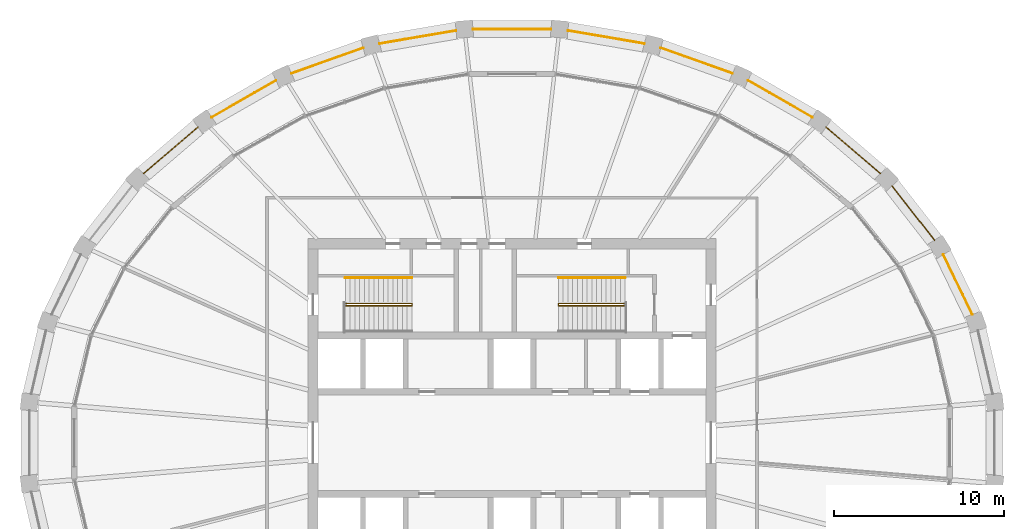
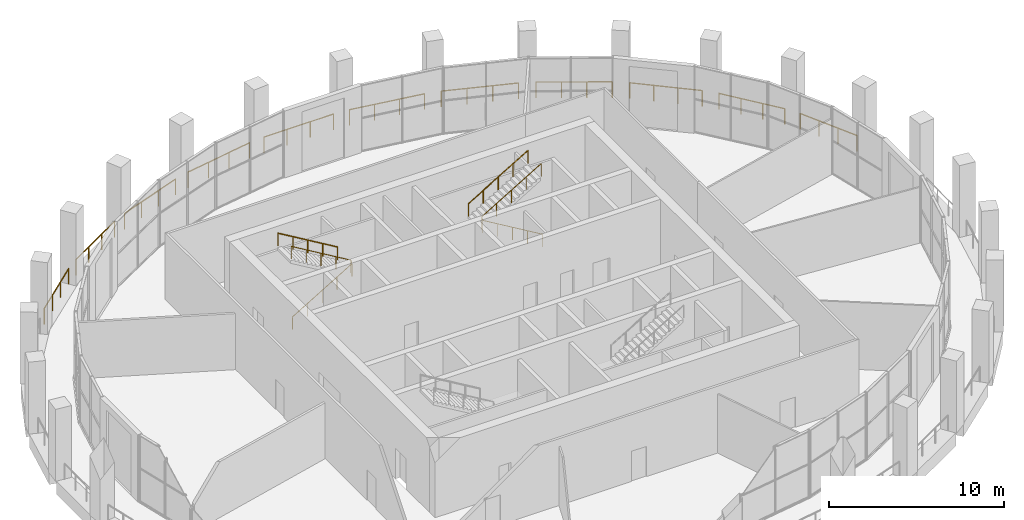
# One storey, part 15 of 15: 15 railings.
"""IFC4 building model written with IfcOpenShell, lengths in metres."""

from ifc_helpers import new_model, si_unit, direction, frame, origin, origin_2d, place, context, subcontext, project, spatial, circle, extrude, material, type_object, element, save


model = new_model("IFC4")

# Units and contexts
model_context = context("Model", 3, precision=1e-05, world=origin(), true_north=direction((0.0, 1.0)))
body_context = subcontext(model_context, "Body", "Model", "MODEL_VIEW")
ifc_project = project(units=[si_unit("LENGTHUNIT", "METRE"), si_unit("AREAUNIT", "SQUARE_METRE"), si_unit("VOLUMEUNIT", "CUBIC_METRE"), si_unit("PLANEANGLEUNIT", "RADIAN"), si_unit("MASSUNIT", "GRAM", prefix="KILO")], contexts=[model_context])

# Site, building, storey
site_placement = place(None, origin())
site = spatial("IfcSite", under=ifc_project, at=site_placement, CompositionType="ELEMENT")
building_placement = place(site_placement, origin())
building = spatial("IfcBuilding", under=site, at=building_placement, Name="Halqa Exchange Tower", CompositionType="ELEMENT")
storey_placement = place(building_placement, frame((0.0, 0.0, 338.300048828125)))
storey = spatial("IfcBuildingStorey", under=building, at=storey_placement, Name="L79", CompositionType="ELEMENT", Elevation=338.300048828125)

# Railings
ifc_material = material(Name="Stainless steel", Category="steel")
railing_type_1 = type_object("IfcRailingType", Name="Guard 1100 stainless steel", PredefinedType="GUARDRAIL", material=ifc_material)
railing_1_placement = place(storey_placement, frame((27.055419921875, 7.54150390625, 0.0)))
element("IfcRailing", 1, at=railing_1_placement, inside=storey, type_object=railing_type_1, Name="Loggia guard 2", PredefinedType="GUARDRAIL", context=body_context, shape_type="SweptSolid", body=[
    extrude(circle(Radius=0.02392578125, at=origin_2d()), frame((0.0, 0.0, 1.076171875), z_axis=(-0.435146748862, 0.900359543158, 0.0), x_axis=(-0.900359543158, -0.435146748862, 0.0)), (0.0, 0.0, 1.0), 3.913818359375),
    extrude(circle(Radius=0.02099609375, at=origin_2d()), origin(), (0.0, 0.0, 1.0), 1.052001953125),
    extrude(circle(Radius=0.02099609375, at=origin_2d()), frame((-0.567626953125, 1.174560546875, 0.0)), (0.0, 0.0, 1.0), 1.052001953125),
    extrude(circle(Radius=0.02099609375, at=origin_2d()), frame((-1.135498046875, 2.349365234375, 0.0)), (0.0, 0.0, 1.0), 1.052001953125),
    extrude(circle(Radius=0.02099609375, at=origin_2d()), frame((-1.703125, 3.52392578125, 0.0)), (0.0, 0.0, 1.0), 1.052001953125),
])
railing_2_placement = place(storey_placement, frame((24.827392578125, 11.909912109375, 0.0)))
element("IfcRailing", 2, at=railing_2_placement, inside=storey, type_object=railing_type_1, Name="Loggia guard 3", PredefinedType="GUARDRAIL", context=body_context, shape_type="SweptSolid", body=[
    extrude(circle(Radius=0.02392578125, at=origin_2d()), frame((0.0, 0.0, 1.076171875), z_axis=(-0.614821078368, 0.788666622594, 0.0), x_axis=(-0.788666622594, -0.614821078368, 0.0)), (0.0, 0.0, 1.0), 4.048828125),
    extrude(circle(Radius=0.02099609375, at=origin_2d()), origin(), (0.0, 0.0, 1.0), 1.052001953125),
    extrude(circle(Radius=0.02099609375, at=origin_2d()), frame((-0.829833984375, 1.064453125, 0.0)), (0.0, 0.0, 1.0), 1.052001953125),
    extrude(circle(Radius=0.02099609375, at=origin_2d()), frame((-1.659423828125, 2.128662109375, 0.0)), (0.0, 0.0, 1.0), 1.052001953125),
    extrude(circle(Radius=0.02099609375, at=origin_2d()), frame((-2.4892578125, 3.193115234375, 0.0)), (0.0, 0.0, 1.0), 1.052001953125),
])
railing_3_placement = place(storey_placement, frame((21.651123046875, 15.82275390625, 0.0)))
element("IfcRailing", 3, at=railing_3_placement, inside=storey, type_object=railing_type_1, Name="Loggia guard 4", PredefinedType="GUARDRAIL", context=body_context, shape_type="SweptSolid", body=[
    extrude(circle(Radius=0.02392578125, at=origin_2d()), frame((0.0, 0.0, 1.076171875), z_axis=(-0.75927300229, 0.650772239723, 0.0), x_axis=(-0.650772239723, -0.75927300229, 0.0)), (0.0, 0.0, 1.0), 4.203125),
    extrude(circle(Radius=0.02099609375, at=origin_2d()), origin(), (0.0, 0.0, 1.0), 1.052001953125),
    extrude(circle(Radius=0.02099609375, at=origin_2d()), frame((-1.063720703125, 0.911865234375, 0.0)), (0.0, 0.0, 1.0), 1.052001953125),
    extrude(circle(Radius=0.02099609375, at=origin_2d()), frame((-2.127685546875, 1.823486328125, 0.0)), (0.0, 0.0, 1.0), 1.052001953125),
    extrude(circle(Radius=0.02099609375, at=origin_2d()), frame((-3.19140625, 2.7353515625, 0.0)), (0.0, 0.0, 1.0), 1.052001953125),
])
railing_4_placement = place(storey_placement, frame((17.646240234375, 19.132080078125, 0.0)))
element("IfcRailing", 4, at=railing_4_placement, inside=storey, type_object=railing_type_1, Name="Loggia guard 5", PredefinedType="GUARDRAIL", context=body_context, shape_type="SweptSolid", body=[
    extrude(circle(Radius=0.02392578125, at=origin_2d()), frame((0.0, 0.0, 1.076171875), z_axis=(-0.867752650497, 0.496996315434, 0.0), x_axis=(-0.496996315434, -0.867752650497, 0.0)), (0.0, 0.0, 1.0), 4.353271484375),
    extrude(circle(Radius=0.02099609375, at=origin_2d()), origin(), (0.0, 0.0, 1.0), 1.052001953125),
    extrude(circle(Radius=0.02099609375, at=origin_2d()), frame((-1.25927734375, 0.72119140625, 0.0)), (0.0, 0.0, 1.0), 1.052001953125),
    extrude(circle(Radius=0.02099609375, at=origin_2d()), frame((-2.518310546875, 1.4423828125, 0.0)), (0.0, 0.0, 1.0), 1.052001953125),
    extrude(circle(Radius=0.02099609375, at=origin_2d()), frame((-3.777587890625, 2.16357421875, 0.0)), (0.0, 0.0, 1.0), 1.052001953125),
])
railing_5_placement = place(storey_placement, frame((12.963623046875, 21.71142578125, 0.0)))
element("IfcRailing", 5, at=railing_5_placement, inside=storey, type_object=railing_type_1, Name="Loggia guard 6", PredefinedType="GUARDRAIL", context=body_context, shape_type="SweptSolid", body=[
    extrude(circle(Radius=0.02392578125, at=origin_2d()), frame((0.0, 0.0, 1.076171875), z_axis=(-0.942364531835, 0.334587939321, 0.0), x_axis=(-0.334587939321, -0.942364531835, 0.0)), (0.0, 0.0, 1.0), 4.477294921875),
    extrude(circle(Radius=0.02099609375, at=origin_2d()), origin(), (0.0, 0.0, 1.0), 1.052001953125),
    extrude(circle(Radius=0.02099609375, at=origin_2d()), frame((-1.406494140625, 0.499267578125, 0.0)), (0.0, 0.0, 1.0), 1.052001953125),
    extrude(circle(Radius=0.02099609375, at=origin_2d()), frame((-2.812744140625, 0.998779296875, 0.0)), (0.0, 0.0, 1.0), 1.052001953125),
    extrude(circle(Radius=0.02099609375, at=origin_2d()), frame((-4.21923828125, 1.498046875, 0.0)), (0.0, 0.0, 1.0), 1.052001953125),
])
railing_6_placement = place(storey_placement, frame((7.7802734375, 23.460693359375, 0.0)))
element("IfcRailing", 6, at=railing_6_placement, inside=storey, type_object=railing_type_1, Name="Loggia guard 7", PredefinedType="GUARDRAIL", context=body_context, shape_type="SweptSolid", body=[
    extrude(circle(Radius=0.02392578125, at=origin_2d()), frame((0.0, 0.0, 1.076171875), z_axis=(-0.985768911013, 0.168106079843, 0.0), x_axis=(-0.168106079843, -0.985768911013, 0.0)), (0.0, 0.0, 1.0), 4.558837890625),
    extrude(circle(Radius=0.02099609375, at=origin_2d()), origin(), (0.0, 0.0, 1.0), 1.052001953125),
    extrude(circle(Radius=0.02099609375, at=origin_2d()), frame((-1.498046875, 0.25537109375, 0.0)), (0.0, 0.0, 1.0), 1.052001953125),
    extrude(circle(Radius=0.02099609375, at=origin_2d()), frame((-2.995849609375, 0.510986328125, 0.0)), (0.0, 0.0, 1.0), 1.052001953125),
    extrude(circle(Radius=0.02099609375, at=origin_2d()), frame((-4.493896484375, 0.766357421875, 0.0)), (0.0, 0.0, 1.0), 1.052001953125),
])
railing_7_placement = place(storey_placement, frame((2.29345703125, 24.31103515625, 0.0)))
element("IfcRailing", 7, at=railing_7_placement, inside=storey, type_object=railing_type_1, Name="Loggia guard 8", PredefinedType="GUARDRAIL", context=body_context, shape_type="SweptSolid", body=[
    extrude(circle(Radius=0.02392578125, at=origin_2d()), frame((0.0, 0.0, 1.076171875), z_axis=(-1.0, 0.0, 0.0), x_axis=(0.0, -1.0, 0.0)), (0.0, 0.0, 1.0), 4.5869140625),
    extrude(circle(Radius=0.02099609375, at=origin_2d()), origin(), (0.0, 0.0, 1.0), 1.052001953125),
    extrude(circle(Radius=0.02099609375, at=origin_2d()), frame((-1.529052734375, 0.0, 0.0)), (0.0, 0.0, 1.0), 1.052001953125),
    extrude(circle(Radius=0.02099609375, at=origin_2d()), frame((-3.057861328125, 0.0, 0.0)), (0.0, 0.0, 1.0), 1.052001953125),
    extrude(circle(Radius=0.02099609375, at=origin_2d()), frame((-4.5869140625, 0.0, 0.0)), (0.0, 0.0, 1.0), 1.052001953125),
])
railing_8_placement = place(storey_placement, frame((-3.286376953125, 24.22705078125, 0.0)))
element("IfcRailing", 8, at=railing_8_placement, inside=storey, type_object=railing_type_1, Name="Loggia guard 9", PredefinedType="GUARDRAIL", context=body_context, shape_type="SweptSolid", body=[
    extrude(circle(Radius=0.02392578125, at=origin_2d()), frame((0.0, 0.0, 1.076171875), z_axis=(-0.985768911013, -0.168106079843, 0.0), x_axis=(0.168106079843, -0.985768911013, 0.0)), (0.0, 0.0, 1.0), 4.558837890625),
    extrude(circle(Radius=0.02099609375, at=origin_2d()), origin(), (0.0, 0.0, 1.0), 1.052001953125),
    extrude(circle(Radius=0.02099609375, at=origin_2d()), frame((-1.498046875, -0.25537109375, 0.0)), (0.0, 0.0, 1.0), 1.052001953125),
    extrude(circle(Radius=0.02099609375, at=origin_2d()), frame((-2.995849609375, -0.510986328125, 0.0)), (0.0, 0.0, 1.0), 1.052001953125),
    extrude(circle(Radius=0.02099609375, at=origin_2d()), frame((-4.493896484375, -0.766357421875, 0.0)), (0.0, 0.0, 1.0), 1.052001953125),
])
railing_9_placement = place(storey_placement, frame((-8.744384765625, 23.20947265625, 0.0)))
element("IfcRailing", 9, at=railing_9_placement, inside=storey, type_object=railing_type_1, Name="Loggia guard 10", PredefinedType="GUARDRAIL", context=body_context, shape_type="SweptSolid", body=[
    extrude(circle(Radius=0.02392578125, at=origin_2d()), frame((0.0, 0.0, 1.076171875), z_axis=(-0.942364531835, -0.334587939321, 0.0), x_axis=(0.334587939321, -0.942364531835, 0.0)), (0.0, 0.0, 1.0), 4.477294921875),
    extrude(circle(Radius=0.02099609375, at=origin_2d()), origin(), (0.0, 0.0, 1.0), 1.052001953125),
    extrude(circle(Radius=0.02099609375, at=origin_2d()), frame((-1.406494140625, -0.499267578125, 0.0)), (0.0, 0.0, 1.0), 1.052001953125),
    extrude(circle(Radius=0.02099609375, at=origin_2d()), frame((-2.812744140625, -0.998779296875, 0.0)), (0.0, 0.0, 1.0), 1.052001953125),
    extrude(circle(Radius=0.02099609375, at=origin_2d()), frame((-4.21923828125, -1.498046875, 0.0)), (0.0, 0.0, 1.0), 1.052001953125),
])
railing_10_placement = place(storey_placement, frame((-13.86865234375, 21.295654296875, 0.0)))
element("IfcRailing", 10, at=railing_10_placement, inside=storey, type_object=railing_type_1, Name="Loggia guard 11", PredefinedType="GUARDRAIL", context=body_context, shape_type="SweptSolid", body=[
    extrude(circle(Radius=0.02392578125, at=origin_2d()), frame((0.0, 0.0, 1.076171875), z_axis=(-0.867752650497, -0.496996315434, 0.0), x_axis=(0.496996315434, -0.867752650497, 0.0)), (0.0, 0.0, 1.0), 4.353271484375),
    extrude(circle(Radius=0.02099609375, at=origin_2d()), origin(), (0.0, 0.0, 1.0), 1.052001953125),
    extrude(circle(Radius=0.02099609375, at=origin_2d()), frame((-1.25927734375, -0.72119140625, 0.0)), (0.0, 0.0, 1.0), 1.052001953125),
    extrude(circle(Radius=0.02099609375, at=origin_2d()), frame((-2.518310546875, -1.4423828125, 0.0)), (0.0, 0.0, 1.0), 1.052001953125),
    extrude(circle(Radius=0.02099609375, at=origin_2d()), frame((-3.777587890625, -2.16357421875, 0.0)), (0.0, 0.0, 1.0), 1.052001953125),
])
railing_11_placement = place(storey_placement, frame((-18.459716796875, 18.55810546875, 0.0)))
element("IfcRailing", 11, at=railing_11_placement, inside=storey, type_object=railing_type_1, Name="Loggia guard 12", PredefinedType="GUARDRAIL", context=body_context, shape_type="SweptSolid", body=[
    extrude(circle(Radius=0.02392578125, at=origin_2d()), frame((0.0, 0.0, 1.076171875), z_axis=(-0.75927300229, -0.650772239723, 0.0), x_axis=(0.650772239723, -0.75927300229, 0.0)), (0.0, 0.0, 1.0), 4.203125),
    extrude(circle(Radius=0.02099609375, at=origin_2d()), origin(), (0.0, 0.0, 1.0), 1.052001953125),
    extrude(circle(Radius=0.02099609375, at=origin_2d()), frame((-1.063720703125, -0.911865234375, 0.0)), (0.0, 0.0, 1.0), 1.052001953125),
    extrude(circle(Radius=0.02099609375, at=origin_2d()), frame((-2.127685546875, -1.823486328125, 0.0)), (0.0, 0.0, 1.0), 1.052001953125),
    extrude(circle(Radius=0.02099609375, at=origin_2d()), frame((-3.19140625, -2.7353515625, 0.0)), (0.0, 0.0, 1.0), 1.052001953125),
])
railing_type_2 = type_object("IfcRailingType", Name="Stair handrail 900", PredefinedType="HANDRAIL", material=ifc_material)
railing_12_placement = place(storey_placement, frame((-9.800048828125, 8.06005859375, 0.166748046875)))
element("IfcRailing", 12, at=railing_12_placement, inside=storey, type_object=railing_type_2, Name="Handrail ST1.1", PredefinedType="HANDRAIL", context=body_context, shape_type="SweptSolid", body=[
    extrude(circle(Radius=0.02392578125, at=origin_2d()), frame((0.0, 0.0, 0.8759765625), z_axis=(0.859310244771, 0.0, 0.511454693235), x_axis=(0.0, 1.0, 0.0)), (0.0, 0.0, 1.0), 4.56201171875),
    extrude(circle(Radius=0.02392578125, at=origin_2d()), frame((3.920166015625, 0.0, 3.208984375), z_axis=(0.0, 0.614500226555, 0.788916644243), x_axis=(-1.0, 0.0, 0.0)), (0.0, 0.0, 1.0), 0.21142578125),
    extrude(circle(Radius=0.02392578125, at=origin_2d()), frame((3.920166015625, 0.1298828125, 3.3759765625), z_axis=(-0.859310244771, 0.0, 0.511454693235), x_axis=(0.0, -1.0, 0.0)), (0.0, 0.0, 1.0), 4.56201171875),
    extrude(circle(Radius=0.02099609375, at=origin_2d()), origin(), (0.0, 0.0, 1.0), 0.851806640625),
    extrude(circle(Radius=0.02099609375, at=origin_2d()), frame((0.97998046875, 0.0, 0.583251953125)), (0.0, 0.0, 1.0), 0.851806640625),
    extrude(circle(Radius=0.02099609375, at=origin_2d()), frame((1.9599609375, 0.0, 1.16650390625)), (0.0, 0.0, 1.0), 0.851806640625),
    extrude(circle(Radius=0.02099609375, at=origin_2d()), frame((2.940185546875, 0.0, 1.75)), (0.0, 0.0, 1.0), 0.851806640625),
    extrude(circle(Radius=0.02099609375, at=origin_2d()), frame((3.920166015625, 0.0, 2.333251953125)), (0.0, 0.0, 1.0), 0.851806640625),
    extrude(circle(Radius=0.02099609375, at=origin_2d()), frame((3.920166015625, 0.1298828125, 2.5)), (0.0, 0.0, 1.0), 0.851806640625),
    extrude(circle(Radius=0.02099609375, at=origin_2d()), frame((2.940185546875, 0.1298828125, 3.083251953125)), (0.0, 0.0, 1.0), 0.851806640625),
    extrude(circle(Radius=0.02099609375, at=origin_2d()), frame((1.9599609375, 0.1298828125, 3.66650390625)), (0.0, 0.0, 1.0), 0.851806640625),
    extrude(circle(Radius=0.02099609375, at=origin_2d()), frame((0.97998046875, 0.1298828125, 4.25)), (0.0, 0.0, 1.0), 0.851806640625),
    extrude(circle(Radius=0.02099609375, at=origin_2d()), frame((0.0, 0.1298828125, 4.833251953125)), (0.0, 0.0, 1.0), 0.851806640625),
])
railing_13_placement = place(storey_placement, frame((-5.8798828125, 9.699951171875, 2.666748046875)))
element("IfcRailing", 13, at=railing_13_placement, inside=storey, type_object=railing_type_2, Name="Handrail ST1.3", PredefinedType="HANDRAIL", context=body_context, shape_type="SweptSolid", body=[
    extrude(circle(Radius=0.02392578125, at=origin_2d()), frame((0.0, 0.0, 0.8759765625), z_axis=(-0.859310244771, 0.0, 0.511454693235), x_axis=(0.0, -1.0, 0.0)), (0.0, 0.0, 1.0), 4.56201171875),
    extrude(circle(Radius=0.02099609375, at=origin_2d()), origin(), (0.0, 0.0, 1.0), 0.851806640625),
    extrude(circle(Radius=0.02099609375, at=origin_2d()), frame((-0.97998046875, 0.0, 0.583251953125)), (0.0, 0.0, 1.0), 0.851806640625),
    extrude(circle(Radius=0.02099609375, at=origin_2d()), frame((-1.9599609375, 0.0, 1.16650390625)), (0.0, 0.0, 1.0), 0.851806640625),
    extrude(circle(Radius=0.02099609375, at=origin_2d()), frame((-2.940185546875, 0.0, 1.75)), (0.0, 0.0, 1.0), 0.851806640625),
    extrude(circle(Radius=0.02099609375, at=origin_2d()), frame((-3.920166015625, 0.0, 2.333251953125)), (0.0, 0.0, 1.0), 0.851806640625),
])
railing_14_placement = place(storey_placement, frame((6.64990234375, 8.06005859375, 0.166748046875)))
element("IfcRailing", 14, at=railing_14_placement, inside=storey, type_object=railing_type_2, Name="Handrail ST2.1", PredefinedType="HANDRAIL", context=body_context, shape_type="SweptSolid", body=[
    extrude(circle(Radius=0.02392578125, at=origin_2d()), frame((0.0, 0.0, 0.8759765625), z_axis=(-0.859296244711, 0.0, 0.511478214419), x_axis=(0.0, -1.0, 0.0)), (0.0, 0.0, 1.0), 4.561767578125),
    extrude(circle(Radius=0.02392578125, at=origin_2d()), frame((-3.919921875, 0.0, 3.208984375), z_axis=(0.0, 0.614500226555, 0.788916644243), x_axis=(-1.0, 0.0, 0.0)), (0.0, 0.0, 1.0), 0.21142578125),
    extrude(circle(Radius=0.02392578125, at=origin_2d()), frame((-3.919921875, 0.1298828125, 3.3759765625), z_axis=(0.859296244711, 0.0, 0.511478214419), x_axis=(0.0, 1.0, 0.0)), (0.0, 0.0, 1.0), 4.561767578125),
    extrude(circle(Radius=0.02099609375, at=origin_2d()), origin(), (0.0, 0.0, 1.0), 0.851806640625),
    extrude(circle(Radius=0.02099609375, at=origin_2d()), frame((-0.97998046875, 0.0, 0.583251953125)), (0.0, 0.0, 1.0), 0.851806640625),
    extrude(circle(Radius=0.02099609375, at=origin_2d()), frame((-1.9599609375, 0.0, 1.16650390625)), (0.0, 0.0, 1.0), 0.851806640625),
    extrude(circle(Radius=0.02099609375, at=origin_2d()), frame((-2.93994140625, 0.0, 1.75)), (0.0, 0.0, 1.0), 0.851806640625),
    extrude(circle(Radius=0.02099609375, at=origin_2d()), frame((-3.919921875, 0.0, 2.333251953125)), (0.0, 0.0, 1.0), 0.851806640625),
    extrude(circle(Radius=0.02099609375, at=origin_2d()), frame((-3.919921875, 0.1298828125, 2.5)), (0.0, 0.0, 1.0), 0.851806640625),
    extrude(circle(Radius=0.02099609375, at=origin_2d()), frame((-2.93994140625, 0.1298828125, 3.083251953125)), (0.0, 0.0, 1.0), 0.851806640625),
    extrude(circle(Radius=0.02099609375, at=origin_2d()), frame((-1.9599609375, 0.1298828125, 3.66650390625)), (0.0, 0.0, 1.0), 0.851806640625),
    extrude(circle(Radius=0.02099609375, at=origin_2d()), frame((-0.97998046875, 0.1298828125, 4.25)), (0.0, 0.0, 1.0), 0.851806640625),
    extrude(circle(Radius=0.02099609375, at=origin_2d()), frame((0.0, 0.1298828125, 4.833251953125)), (0.0, 0.0, 1.0), 0.851806640625),
])
railing_15_placement = place(storey_placement, frame((2.72998046875, 9.699951171875, 2.666748046875)))
element("IfcRailing", 15, at=railing_15_placement, inside=storey, type_object=railing_type_2, Name="Handrail ST2.3", PredefinedType="HANDRAIL", context=body_context, shape_type="SweptSolid", body=[
    extrude(circle(Radius=0.02392578125, at=origin_2d()), frame((0.0, 0.0, 0.8759765625), z_axis=(0.859296244711, 0.0, 0.511478214419), x_axis=(0.0, 1.0, 0.0)), (0.0, 0.0, 1.0), 4.561767578125),
    extrude(circle(Radius=0.02099609375, at=origin_2d()), origin(), (0.0, 0.0, 1.0), 0.851806640625),
    extrude(circle(Radius=0.02099609375, at=origin_2d()), frame((0.97998046875, 0.0, 0.583251953125)), (0.0, 0.0, 1.0), 0.851806640625),
    extrude(circle(Radius=0.02099609375, at=origin_2d()), frame((1.9599609375, 0.0, 1.16650390625)), (0.0, 0.0, 1.0), 0.851806640625),
    extrude(circle(Radius=0.02099609375, at=origin_2d()), frame((2.93994140625, 0.0, 1.75)), (0.0, 0.0, 1.0), 0.851806640625),
    extrude(circle(Radius=0.02099609375, at=origin_2d()), frame((3.919921875, 0.0, 2.333251953125)), (0.0, 0.0, 1.0), 0.851806640625),
])

save(model, "model.ifc")
